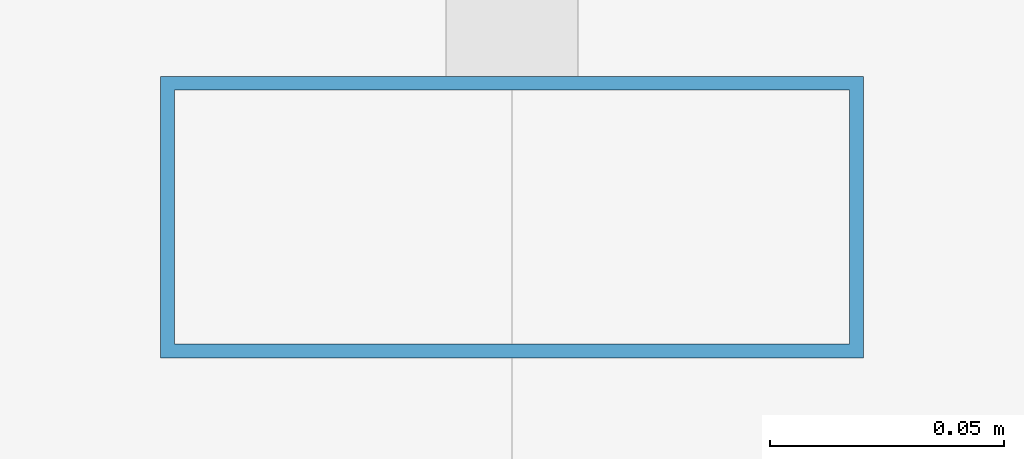
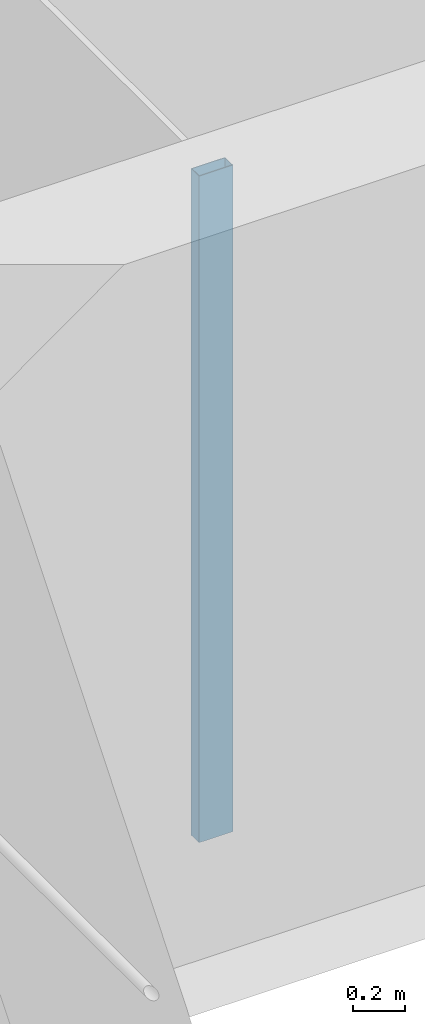
# One storey, part 11 of 40: 1 member, 1 element without a shape of its own.
"""IFC4 building model written with IfcOpenShell, lengths in metres."""

from ifc_helpers import new_model, si_unit, direction, frame, origin, origin_2d, place, context, subcontext, project, spatial, hollow_rectangle, extrude, material, material_profile, profile_set, type_object, element, aggregate, save


model = new_model("IFC4")

# Units and contexts
model_context = context("Model", 3, precision=1e-05, world=origin(), true_north=direction((0.0, 1.0)))
body_context = subcontext(model_context, "Body", "Model", "MODEL_VIEW")
ifc_project = project(units=[si_unit("LENGTHUNIT", "METRE"), si_unit("AREAUNIT", "SQUARE_METRE"), si_unit("VOLUMEUNIT", "CUBIC_METRE"), si_unit("PLANEANGLEUNIT", "RADIAN"), si_unit("MASSUNIT", "GRAM", prefix="KILO")], contexts=[model_context])

# Site, building, storey
site_placement = place(None, origin())
site = spatial("IfcSite", under=ifc_project, at=site_placement, CompositionType="ELEMENT")
building_placement = place(site_placement, origin())
building = spatial("IfcBuilding", under=site, at=building_placement, Name="Altepetl Exchange Towers", CompositionType="ELEMENT")
storey_placement = place(building_placement, frame((0.0, 0.0, 158.199951171875)))
storey = spatial("IfcBuildingStorey", under=building, at=storey_placement, Name="L39", CompositionType="ELEMENT", Elevation=158.199951171875)

# Curtain wall, member
ifc_material_1 = material(Name="Aluminium 6063-T6 glazing", Category="aluminium")
curtain_wall_type = type_object("IfcCurtainWallType", Name="Loggia glazing system", PredefinedType="NOTDEFINED", material=ifc_material_1)
curtain_wall_placement = place(storey_placement, origin())
curtain_wall = element("IfcCurtainWall", 1, at=curtain_wall_placement, inside=storey, type_object=curtain_wall_type, Name="CW1 run", PredefinedType="NOTDEFINED")
ifc_material_2 = material(Name="Aluminium 6063-T6", Category="aluminium")
ifc_material_profile = material_profile(ifc_material_2, hollow_rectangle(XDim=0.06005859375, YDim=0.14990234375, WallThickness=0.0029296875, at=origin_2d()), Name="Mullion 60x150 aluminium")
ifc_profile_set = profile_set([ifc_material_profile], Name="Aluminium 6063-T6")
member_type = type_object("IfcMemberType", Name="Mullion 60x150 aluminium", PredefinedType="MULLION", material=ifc_profile_set)
member_placement = place(storey_placement, frame((42.5, 58.60498046875, 0.0), z_axis=(0.0, 0.0, 1.0), x_axis=(0.0, -1.0, 0.0)))
member = element("IfcMember", 2, at=member_placement, type_object=member_type, Name="MU1 mullion", PredefinedType="MULLION", context=body_context, shape_type="SweptSolid", body=[
    extrude(hollow_rectangle(XDim=0.06005859375, YDim=0.14990234375, WallThickness=0.0029296875, at=origin_2d()), origin(), (0.0, 0.0, 1.0), 3.10009765625),
])
aggregate(curtain_wall, [member])

save(model, "model.ifc")
